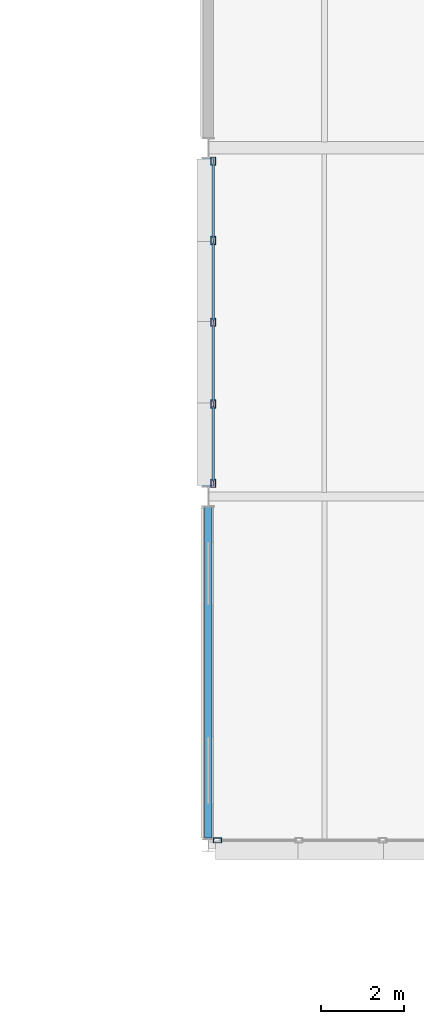
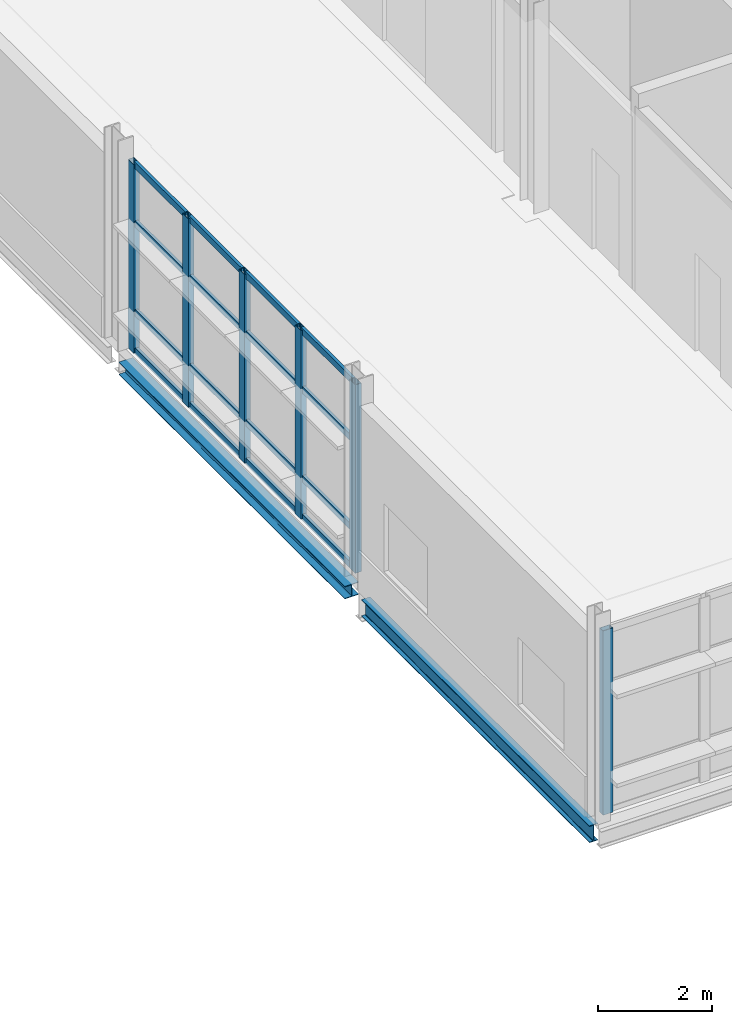
# One storey, part 64 of 129: 22 members, 2 beams, 2 elements without a shape of their own.
"""IFC4 building model written with IfcOpenShell, lengths in metres."""

from ifc_helpers import new_model, si_unit, direction, frame, origin, origin_2d, place, context, subcontext, project, spatial, hollow_rectangle, i_section, extrude, material, material_profile, profile_set, type_object, element, aggregate, save


model = new_model("IFC4")

# Units and contexts
model_context = context("Model", 3, precision=1e-05, world=origin(), true_north=direction((0.0, 1.0)))
body_context = subcontext(model_context, "Body", "Model", "MODEL_VIEW")
ifc_project = project(units=[si_unit("LENGTHUNIT", "METRE"), si_unit("AREAUNIT", "SQUARE_METRE"), si_unit("VOLUMEUNIT", "CUBIC_METRE"), si_unit("PLANEANGLEUNIT", "RADIAN"), si_unit("MASSUNIT", "GRAM", prefix="KILO")], contexts=[model_context])

# Site, building, storey
site_placement = place(None, origin())
site = spatial("IfcSite", under=ifc_project, at=site_placement, CompositionType="ELEMENT")
building_placement = place(site_placement, origin())
building = spatial("IfcBuilding", under=site, at=building_placement, Name="Mersafa Astral City Hall", CompositionType="ELEMENT")
storey_placement = place(building_placement, frame((0.0, 0.0, 5.39990234375)))
storey = spatial("IfcBuildingStorey", under=building, at=storey_placement, Name="L01", CompositionType="ELEMENT", Elevation=5.39990234375)

# Curtain wall, members
ifc_material_1 = material(Name="Anodised bronze aluminium framing", Category="aluminium")
curtain_wall_type_1 = type_object("IfcCurtainWallType", Name="ENV-CW-2", PredefinedType="USERDEFINED", material=ifc_material_1)
curtain_wall_1_placement = place(storey_placement, origin())
curtain_wall_1 = element("IfcCurtainWall", 1, at=curtain_wall_1_placement, inside=storey, type_object=curtain_wall_type_1, Name="L01 Unitised solar curtain wall 67", ObjectType="UNITISED CURTAIN WALL", PredefinedType="USERDEFINED")
ifc_material_profile_1 = material_profile(ifc_material_1, hollow_rectangle(XDim=0.1201171875, YDim=0.199951171875, WallThickness=0.008056640625, at=origin_2d()), Name="RHS 120x200x8")
ifc_profile_set_1 = profile_set([ifc_material_profile_1], Name="Anodised bronze aluminium framing")
member_type_1 = type_object("IfcMemberType", Name="ENV-CW-MUL-2", PredefinedType="MULLION", material=ifc_profile_set_1)
member_1_placement = place(storey_placement, frame((159.719970703125, 58.47802734375, -0.001953125), z_axis=(0.0, 0.0, 1.0), x_axis=(1.0, 0.0, 0.0)))
member_1 = element("IfcMember", 2, at=member_1_placement, type_object=member_type_1, Name="CW-2 mullion 1", PredefinedType="MULLION", context=body_context, shape_type="SweptSolid", body=[
    extrude(hollow_rectangle(XDim=0.1201171875, YDim=0.199951171875, WallThickness=0.008056640625, at=origin_2d()), origin(), (0.0, 0.0, 1.0), 4.029052734375),
])
member_2_placement = place(storey_placement, frame((159.719970703125, 56.569091796875, -0.001953125), z_axis=(0.0, 0.0, 1.0), x_axis=(1.0, 0.0, 0.0)))
member_2 = element("IfcMember", 3, at=member_2_placement, type_object=member_type_1, Name="CW-2 mullion 2", PredefinedType="MULLION", context=body_context, shape_type="SweptSolid", body=[
    extrude(hollow_rectangle(XDim=0.1201171875, YDim=0.199951171875, WallThickness=0.008056640625, at=origin_2d()), origin(), (0.0, 0.0, 1.0), 4.029052734375),
])
member_3_placement = place(storey_placement, frame((159.719970703125, 54.60009765625, -0.001953125), z_axis=(0.0, 0.0, 1.0), x_axis=(1.0, 0.0, 0.0)))
member_3 = element("IfcMember", 4, at=member_3_placement, type_object=member_type_1, Name="CW-2 mullion 3", PredefinedType="MULLION", context=body_context, shape_type="SweptSolid", body=[
    extrude(hollow_rectangle(XDim=0.1201171875, YDim=0.199951171875, WallThickness=0.008056640625, at=origin_2d()), origin(), (0.0, 0.0, 1.0), 4.029052734375),
])
member_4_placement = place(storey_placement, frame((159.719970703125, 52.631103515625, -0.001953125), z_axis=(0.0, 0.0, 1.0), x_axis=(1.0, 0.0, 0.0)))
member_4 = element("IfcMember", 5, at=member_4_placement, type_object=member_type_1, Name="CW-2 mullion 4", PredefinedType="MULLION", context=body_context, shape_type="SweptSolid", body=[
    extrude(hollow_rectangle(XDim=0.1201171875, YDim=0.199951171875, WallThickness=0.008056640625, at=origin_2d()), origin(), (0.0, 0.0, 1.0), 4.029052734375),
])
member_5_placement = place(storey_placement, frame((159.719970703125, 50.721923828125, -0.001953125), z_axis=(0.0, 0.0, 1.0), x_axis=(1.0, 0.0, 0.0)))
member_5 = element("IfcMember", 6, at=member_5_placement, type_object=member_type_1, Name="CW-2 mullion 5", PredefinedType="MULLION", context=body_context, shape_type="SweptSolid", body=[
    extrude(hollow_rectangle(XDim=0.1201171875, YDim=0.199951171875, WallThickness=0.008056640625, at=origin_2d()), origin(), (0.0, 0.0, 1.0), 4.029052734375),
])

# Curtain wall, member
curtain_wall_type_2 = type_object("IfcCurtainWallType", Name="ENV-CW-3", PredefinedType="USERDEFINED", material=ifc_material_1)
curtain_wall_2_placement = place(storey_placement, origin())
curtain_wall_2 = element("IfcCurtainWall", 7, at=curtain_wall_2_placement, inside=storey, type_object=curtain_wall_type_2, Name="L01 Unitised solar curtain wall 68", ObjectType="UNITISED CURTAIN WALL", PredefinedType="USERDEFINED")
member_6_placement = place(storey_placement, frame((159.822021484375, 42.1201171875, -0.001953125), z_axis=(0.0, 0.0, 1.0), x_axis=(0.0, 1.0, 0.0)))
member_6 = element("IfcMember", 8, at=member_6_placement, type_object=member_type_1, Name="CW-3 mullion 1", PredefinedType="MULLION", context=body_context, shape_type="SweptSolid", body=[
    extrude(hollow_rectangle(XDim=0.1201171875, YDim=0.199951171875, WallThickness=0.008056640625, at=origin_2d()), origin(), (0.0, 0.0, 1.0), 3.93896484375),
])
aggregate(curtain_wall_2, [member_6])

# Member
ifc_material_profile_2 = material_profile(ifc_material_1, hollow_rectangle(XDim=0.06005859375, YDim=0.139892578125, WallThickness=0.00390625, at=origin_2d()), Name="RHS 60x140x4")
ifc_profile_set_2 = profile_set([ifc_material_profile_2], Name="Anodised bronze aluminium framing")
member_type_2 = type_object("IfcMemberType", Name="ENV-CW-TRN-1", PredefinedType="USERDEFINED", material=ifc_profile_set_2)
member_7_placement = place(storey_placement, frame((159.719970703125, 58.41796875, 0.028076171875), z_axis=(0.0, -1.0, 0.0), x_axis=(1.0, 0.0, 0.0)))
member_7 = element("IfcMember", 9, at=member_7_placement, type_object=member_type_2, Name="CW-2 transom 1.1", ObjectType="TRANSOM", PredefinedType="USERDEFINED", context=body_context, shape_type="SweptSolid", body=[
    extrude(hollow_rectangle(XDim=0.06005859375, YDim=0.139892578125, WallThickness=0.00390625, at=origin_2d()), origin(), (0.0, 0.0, 1.0), 1.7890625),
])

member_8_placement = place(storey_placement, frame((159.719970703125, 58.41796875, 0.85009765625), z_axis=(0.0, -1.0, 0.0), x_axis=(1.0, 0.0, 0.0)))
member_8 = element("IfcMember", 10, at=member_8_placement, type_object=member_type_2, Name="CW-2 transom 1.2", ObjectType="TRANSOM", PredefinedType="USERDEFINED", context=body_context, shape_type="SweptSolid", body=[
    extrude(hollow_rectangle(XDim=0.06005859375, YDim=0.139892578125, WallThickness=0.00390625, at=origin_2d()), origin(), (0.0, 0.0, 1.0), 1.7890625),
])

member_9_placement = place(storey_placement, frame((159.719970703125, 58.41796875, 2.75), z_axis=(0.0, -1.0, 0.0), x_axis=(1.0, 0.0, 0.0)))
member_9 = element("IfcMember", 11, at=member_9_placement, type_object=member_type_2, Name="CW-2 transom 1.3", ObjectType="TRANSOM", PredefinedType="USERDEFINED", context=body_context, shape_type="SweptSolid", body=[
    extrude(hollow_rectangle(XDim=0.06005859375, YDim=0.139892578125, WallThickness=0.00390625, at=origin_2d()), origin(), (0.0, 0.0, 1.0), 1.7890625),
])

member_10_placement = place(storey_placement, frame((159.719970703125, 58.41796875, 3.9970703125), z_axis=(0.0, -1.0, 0.0), x_axis=(1.0, 0.0, 0.0)))
member_10 = element("IfcMember", 12, at=member_10_placement, type_object=member_type_2, Name="CW-2 transom 1.4", ObjectType="TRANSOM", PredefinedType="USERDEFINED", context=body_context, shape_type="SweptSolid", body=[
    extrude(hollow_rectangle(XDim=0.06005859375, YDim=0.139892578125, WallThickness=0.00390625, at=origin_2d()), origin(), (0.0, 0.0, 1.0), 1.7890625),
])

member_11_placement = place(storey_placement, frame((159.719970703125, 56.509033203125, 0.028076171875), z_axis=(0.0, -1.0, 0.0), x_axis=(1.0, 0.0, 0.0)))
member_11 = element("IfcMember", 13, at=member_11_placement, type_object=member_type_2, Name="CW-2 transom 2.1", ObjectType="TRANSOM", PredefinedType="USERDEFINED", context=body_context, shape_type="SweptSolid", body=[
    extrude(hollow_rectangle(XDim=0.06005859375, YDim=0.139892578125, WallThickness=0.00390625, at=origin_2d()), origin(), (0.0, 0.0, 1.0), 1.84912109375),
])

member_12_placement = place(storey_placement, frame((159.719970703125, 56.509033203125, 0.85009765625), z_axis=(0.0, -1.0, 0.0), x_axis=(1.0, 0.0, 0.0)))
member_12 = element("IfcMember", 14, at=member_12_placement, type_object=member_type_2, Name="CW-2 transom 2.2", ObjectType="TRANSOM", PredefinedType="USERDEFINED", context=body_context, shape_type="SweptSolid", body=[
    extrude(hollow_rectangle(XDim=0.06005859375, YDim=0.139892578125, WallThickness=0.00390625, at=origin_2d()), origin(), (0.0, 0.0, 1.0), 1.84912109375),
])

member_13_placement = place(storey_placement, frame((159.719970703125, 56.509033203125, 2.75), z_axis=(0.0, -1.0, 0.0), x_axis=(1.0, 0.0, 0.0)))
member_13 = element("IfcMember", 15, at=member_13_placement, type_object=member_type_2, Name="CW-2 transom 2.3", ObjectType="TRANSOM", PredefinedType="USERDEFINED", context=body_context, shape_type="SweptSolid", body=[
    extrude(hollow_rectangle(XDim=0.06005859375, YDim=0.139892578125, WallThickness=0.00390625, at=origin_2d()), origin(), (0.0, 0.0, 1.0), 1.84912109375),
])

member_14_placement = place(storey_placement, frame((159.719970703125, 56.509033203125, 3.9970703125), z_axis=(0.0, -1.0, 0.0), x_axis=(1.0, 0.0, 0.0)))
member_14 = element("IfcMember", 16, at=member_14_placement, type_object=member_type_2, Name="CW-2 transom 2.4", ObjectType="TRANSOM", PredefinedType="USERDEFINED", context=body_context, shape_type="SweptSolid", body=[
    extrude(hollow_rectangle(XDim=0.06005859375, YDim=0.139892578125, WallThickness=0.00390625, at=origin_2d()), origin(), (0.0, 0.0, 1.0), 1.84912109375),
])

member_15_placement = place(storey_placement, frame((159.719970703125, 54.5400390625, 0.028076171875), z_axis=(0.0, -1.0, 0.0), x_axis=(1.0, 0.0, 0.0)))
member_15 = element("IfcMember", 17, at=member_15_placement, type_object=member_type_2, Name="CW-2 transom 3.1", ObjectType="TRANSOM", PredefinedType="USERDEFINED", context=body_context, shape_type="SweptSolid", body=[
    extrude(hollow_rectangle(XDim=0.06005859375, YDim=0.139892578125, WallThickness=0.00390625, at=origin_2d()), origin(), (0.0, 0.0, 1.0), 1.84912109375),
])

member_16_placement = place(storey_placement, frame((159.719970703125, 54.5400390625, 0.85009765625), z_axis=(0.0, -1.0, 0.0), x_axis=(1.0, 0.0, 0.0)))
member_16 = element("IfcMember", 18, at=member_16_placement, type_object=member_type_2, Name="CW-2 transom 3.2", ObjectType="TRANSOM", PredefinedType="USERDEFINED", context=body_context, shape_type="SweptSolid", body=[
    extrude(hollow_rectangle(XDim=0.06005859375, YDim=0.139892578125, WallThickness=0.00390625, at=origin_2d()), origin(), (0.0, 0.0, 1.0), 1.84912109375),
])

member_17_placement = place(storey_placement, frame((159.719970703125, 54.5400390625, 2.75), z_axis=(0.0, -1.0, 0.0), x_axis=(1.0, 0.0, 0.0)))
member_17 = element("IfcMember", 19, at=member_17_placement, type_object=member_type_2, Name="CW-2 transom 3.3", ObjectType="TRANSOM", PredefinedType="USERDEFINED", context=body_context, shape_type="SweptSolid", body=[
    extrude(hollow_rectangle(XDim=0.06005859375, YDim=0.139892578125, WallThickness=0.00390625, at=origin_2d()), origin(), (0.0, 0.0, 1.0), 1.84912109375),
])

member_18_placement = place(storey_placement, frame((159.719970703125, 54.5400390625, 3.9970703125), z_axis=(0.0, -1.0, 0.0), x_axis=(1.0, 0.0, 0.0)))
member_18 = element("IfcMember", 20, at=member_18_placement, type_object=member_type_2, Name="CW-2 transom 3.4", ObjectType="TRANSOM", PredefinedType="USERDEFINED", context=body_context, shape_type="SweptSolid", body=[
    extrude(hollow_rectangle(XDim=0.06005859375, YDim=0.139892578125, WallThickness=0.00390625, at=origin_2d()), origin(), (0.0, 0.0, 1.0), 1.84912109375),
])

member_19_placement = place(storey_placement, frame((159.719970703125, 52.571044921875, 0.028076171875), z_axis=(0.0, -1.0, 0.0), x_axis=(1.0, 0.0, 0.0)))
member_19 = element("IfcMember", 21, at=member_19_placement, type_object=member_type_2, Name="CW-2 transom 4.1", ObjectType="TRANSOM", PredefinedType="USERDEFINED", context=body_context, shape_type="SweptSolid", body=[
    extrude(hollow_rectangle(XDim=0.06005859375, YDim=0.139892578125, WallThickness=0.00390625, at=origin_2d()), origin(), (0.0, 0.0, 1.0), 1.7890625),
])

member_20_placement = place(storey_placement, frame((159.719970703125, 52.571044921875, 0.85009765625), z_axis=(0.0, -1.0, 0.0), x_axis=(1.0, 0.0, 0.0)))
member_20 = element("IfcMember", 22, at=member_20_placement, type_object=member_type_2, Name="CW-2 transom 4.2", ObjectType="TRANSOM", PredefinedType="USERDEFINED", context=body_context, shape_type="SweptSolid", body=[
    extrude(hollow_rectangle(XDim=0.06005859375, YDim=0.139892578125, WallThickness=0.00390625, at=origin_2d()), origin(), (0.0, 0.0, 1.0), 1.7890625),
])

member_21_placement = place(storey_placement, frame((159.719970703125, 52.571044921875, 2.75), z_axis=(0.0, -1.0, 0.0), x_axis=(1.0, 0.0, 0.0)))
member_21 = element("IfcMember", 23, at=member_21_placement, type_object=member_type_2, Name="CW-2 transom 4.3", ObjectType="TRANSOM", PredefinedType="USERDEFINED", context=body_context, shape_type="SweptSolid", body=[
    extrude(hollow_rectangle(XDim=0.06005859375, YDim=0.139892578125, WallThickness=0.00390625, at=origin_2d()), origin(), (0.0, 0.0, 1.0), 1.7890625),
])

member_22_placement = place(storey_placement, frame((159.719970703125, 52.571044921875, 3.9970703125), z_axis=(0.0, -1.0, 0.0), x_axis=(1.0, 0.0, 0.0)))
member_22 = element("IfcMember", 24, at=member_22_placement, type_object=member_type_2, Name="CW-2 transom 4.4", ObjectType="TRANSOM", PredefinedType="USERDEFINED", context=body_context, shape_type="SweptSolid", body=[
    extrude(hollow_rectangle(XDim=0.06005859375, YDim=0.139892578125, WallThickness=0.00390625, at=origin_2d()), origin(), (0.0, 0.0, 1.0), 1.7890625),
])

aggregate(curtain_wall_1, [member_1, member_2, member_3, member_4, member_5, member_7, member_8, member_9, member_10, member_11, member_12, member_13, member_14, member_15, member_16, member_17, member_18, member_19, member_20, member_21, member_22])

# Beams
ifc_material_2 = material(Name="Steel S355", Category="steel")
ifc_material_profile_3 = material_profile(ifc_material_2, i_section(OverallWidth=0.280029296875, OverallDepth=0.27001953125, WebThickness=0.008056640625, FlangeThickness=0.012939453125, FilletRadius=0.02392578125, at=origin_2d()), Name="HEA 280")
ifc_profile_set_3 = profile_set([ifc_material_profile_3], Name="Steel S355")
beam_type_1 = type_object("IfcBeamType", Name="STR-BM-SPANDREL-HEA280", PredefinedType="SPANDREL", material=ifc_profile_set_3)
beam_1_placement = place(storey_placement, frame((159.60009765625, 50.64501953125, -0.35986328125), z_axis=(0.0, 1.0, 0.0), x_axis=(-1.0, 0.0, 0.0)))
element("IfcBeam", 25, at=beam_1_placement, inside=storey, type_object=beam_type_1, Name="L01 Primary girder Y 19-6", PredefinedType="SPANDREL", context=body_context, shape_type="SweptSolid", body=[
    extrude(i_section(OverallWidth=0.280029296875, OverallDepth=0.27001953125, WebThickness=0.008056640625, FlangeThickness=0.012939453125, FilletRadius=0.02392578125, at=origin_2d()), origin(), (0.0, 0.0, 1.0), 7.909912109375),
])
ifc_material_profile_4 = material_profile(ifc_material_2, i_section(OverallWidth=0.169921875, OverallDepth=0.360107421875, WebThickness=0.008056640625, FlangeThickness=0.0126953125, FilletRadius=0.01806640625, at=origin_2d()), Name="IPE 360")
ifc_profile_set_4 = profile_set([ifc_material_profile_4], Name="Steel S355")
beam_type_2 = type_object("IfcBeamType", Name="STR-BM-SPANDREL-IPE360", PredefinedType="SPANDREL", material=ifc_profile_set_4)
beam_2_placement = place(storey_placement, frame((159.60009765625, 42.175048828125, -0.40478515625), z_axis=(0.0, 1.0, 0.0), x_axis=(-1.0, 0.0, 0.0)))
element("IfcBeam", 26, at=beam_2_placement, inside=storey, type_object=beam_type_2, Name="L01 Primary girder Y 19-5", PredefinedType="SPANDREL", context=body_context, shape_type="SweptSolid", body=[
    extrude(i_section(OverallWidth=0.169921875, OverallDepth=0.360107421875, WebThickness=0.008056640625, FlangeThickness=0.0126953125, FilletRadius=0.01806640625, at=origin_2d()), origin(), (0.0, 0.0, 1.0), 7.97998046875),
])

save(model, "model.ifc")
